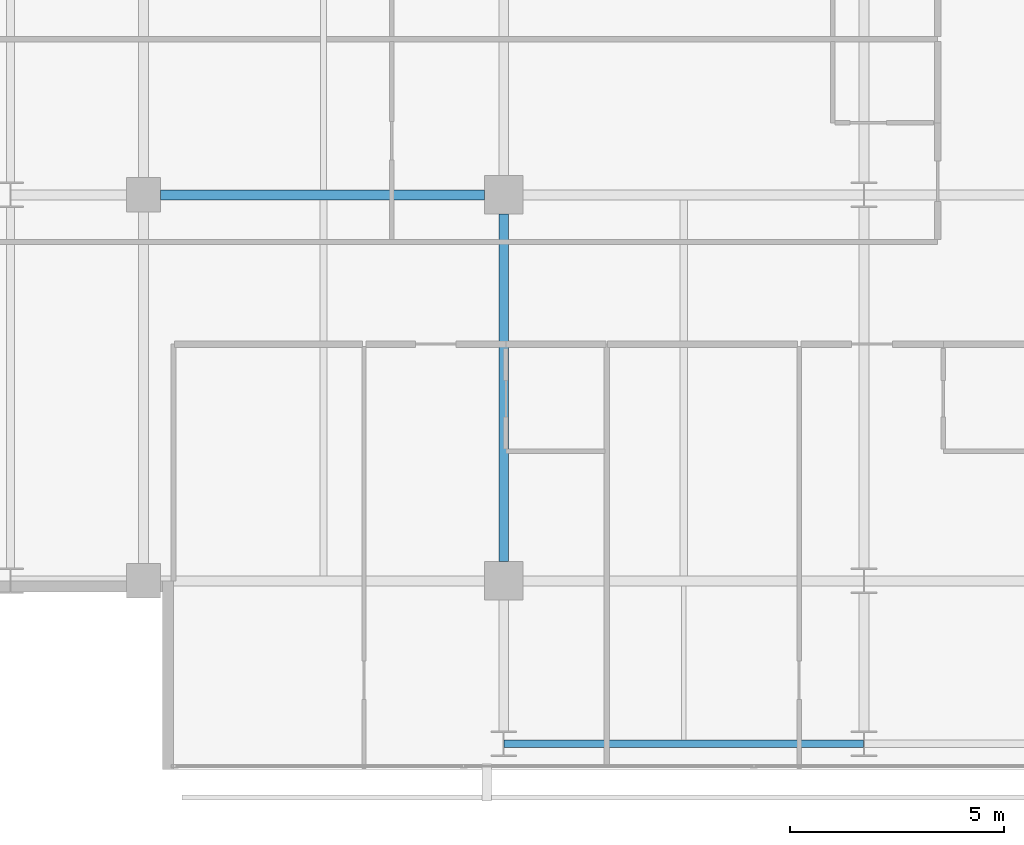
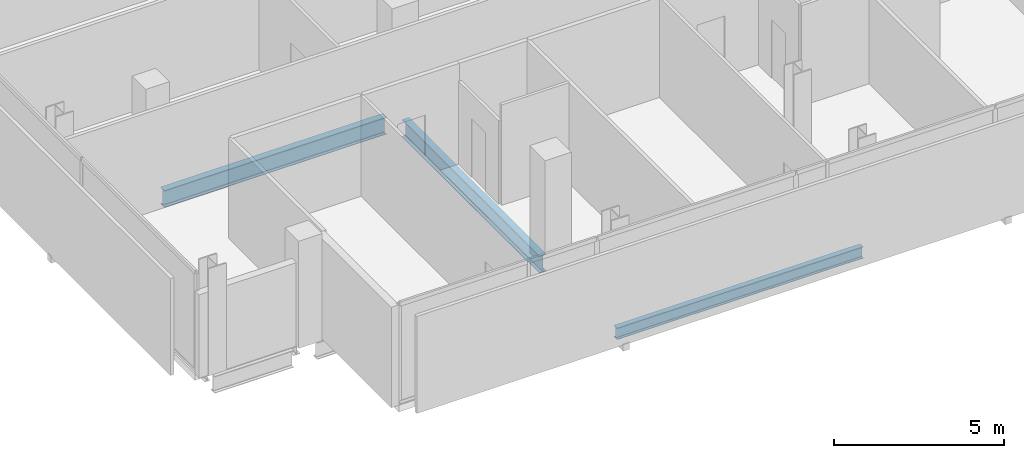
# One storey, part 5 of 33: 3 beams.
"""IFC4 building model written with IfcOpenShell, lengths in metres."""

from ifc_helpers import new_model, si_unit, direction, frame, origin, origin_2d, place, context, subcontext, project, spatial, i_section, extrude, material, material_profile, profile_set, type_object, element, save


model = new_model("IFC4")

# Units and contexts
model_context = context("Model", 3, precision=1e-05, world=origin(), true_north=direction((0.0, 1.0)))
body_context = subcontext(model_context, "Body", "Model", "MODEL_VIEW")
ifc_project = project(units=[si_unit("LENGTHUNIT", "METRE"), si_unit("AREAUNIT", "SQUARE_METRE"), si_unit("VOLUMEUNIT", "CUBIC_METRE"), si_unit("PLANEANGLEUNIT", "RADIAN"), si_unit("MASSUNIT", "GRAM", prefix="KILO")], contexts=[model_context])

# Site, building, storey
site_placement = place(None, origin())
site = spatial("IfcSite", under=ifc_project, at=site_placement, CompositionType="ELEMENT")
building_placement = place(site_placement, origin())
building = spatial("IfcBuilding", under=site, at=building_placement, Name="Maruvema Waterfront Hotel and Observation Tower", CompositionType="ELEMENT")
storey_placement = place(building_placement, frame((0.0, 0.0, 142.800048828125)))
storey = spatial("IfcBuildingStorey", under=building, at=storey_placement, Name="L34", CompositionType="ELEMENT", Elevation=142.800048828125)

# Beams
ifc_material_1 = material(Name="Steel ASTM A572 Grade 50", Category="steel")
ifc_material_profile_1 = material_profile(ifc_material_1, i_section(OverallWidth=0.180908203125, OverallDepth=0.4169921875, WebThickness=0.010986328125, FlangeThickness=0.018310546875, FilletRadius=0.014892578125, at=origin_2d()), Name="W410x85.0")
ifc_profile_set_1 = profile_set([ifc_material_profile_1], Name="Steel ASTM A572 Grade 50")
beam_type_1 = type_object("IfcBeamType", Name="Perimeter Spandrel Beam W410x85.0", PredefinedType="SPANDREL", material=ifc_profile_set_1)
beam_1_placement = place(storey_placement, frame((25.21240234375, 5.199951171875, -0.448486328125), z_axis=(1.0, 0.0, 0.0), x_axis=(0.0, 1.0, 0.0)))
element("IfcBeam", 1, at=beam_1_placement, inside=storey, type_object=beam_type_1, Name="L34 Floor Girder EW-01", PredefinedType="SPANDREL", context=body_context, shape_type="SweptSolid", body=[
    extrude(i_section(OverallWidth=0.180908203125, OverallDepth=0.4169921875, WebThickness=0.010986328125, FlangeThickness=0.018310546875, FilletRadius=0.014892578125, at=origin_2d()), origin(), (0.0, 0.0, 1.0), 8.375),
])
ifc_material_2 = material(Name="Steel ASTM A572 Grade 50", Category="steel")
ifc_material_profile_2 = material_profile(ifc_material_2, i_section(OverallWidth=0.22900390625, OverallDepth=0.612060546875, WebThickness=0.011962890625, FlangeThickness=0.01953125, FilletRadius=0.01806640625, at=origin_2d()), Name="W610x125.0")
ifc_profile_set_2 = profile_set([ifc_material_profile_2], Name="Steel ASTM A572 Grade 50")
beam_type_2 = type_object("IfcBeamType", Name="Primary Floor Girder W610x125.0", PredefinedType="BEAM", material=ifc_profile_set_2)
beam_2_placement = place(storey_placement, frame((17.199951171875, 18.0, -0.546142578125), z_axis=(1.0, 0.0, 0.0), x_axis=(0.0, 1.0, 0.0)))
element("IfcBeam", 2, at=beam_2_placement, inside=storey, type_object=beam_type_2, Name="L34 Floor Girder EW-12", PredefinedType="BEAM", context=body_context, shape_type="SweptSolid", body=[
    extrude(i_section(OverallWidth=0.22900390625, OverallDepth=0.612060546875, WebThickness=0.011962890625, FlangeThickness=0.01953125, FilletRadius=0.01806640625, at=origin_2d()), origin(), (0.0, 0.0, 1.0), 7.550048828125),
])
beam_3_placement = place(storey_placement, frame((25.199951171875, 9.449951171875, -0.546142578125), z_axis=(0.0, 1.0, 0.0), x_axis=(-1.0, 0.0, 0.0)))
element("IfcBeam", 3, at=beam_3_placement, inside=storey, type_object=beam_type_2, Name="L34 Floor Girder NS-10", PredefinedType="BEAM", context=body_context, shape_type="SweptSolid", body=[
    extrude(i_section(OverallWidth=0.22900390625, OverallDepth=0.612060546875, WebThickness=0.011962890625, FlangeThickness=0.01953125, FilletRadius=0.01806640625, at=origin_2d()), origin(), (0.0, 0.0, 1.0), 8.10009765625),
])

save(model, "model.ifc")
